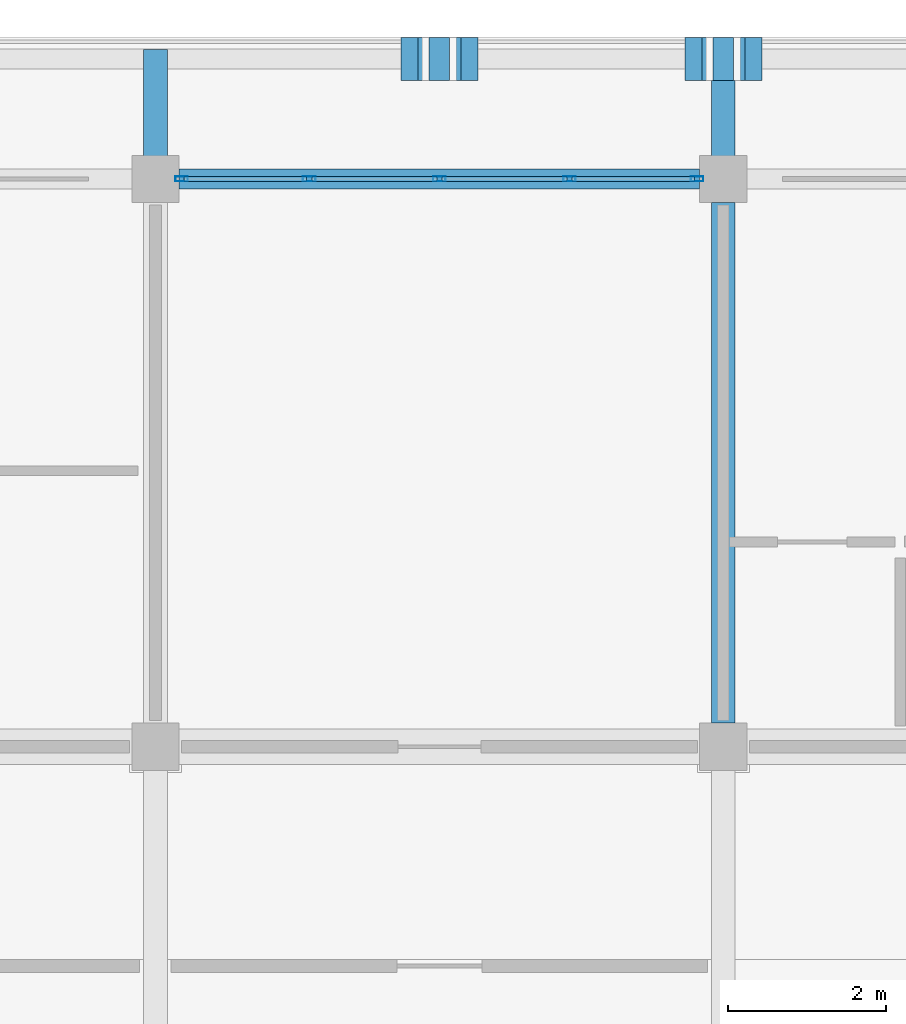
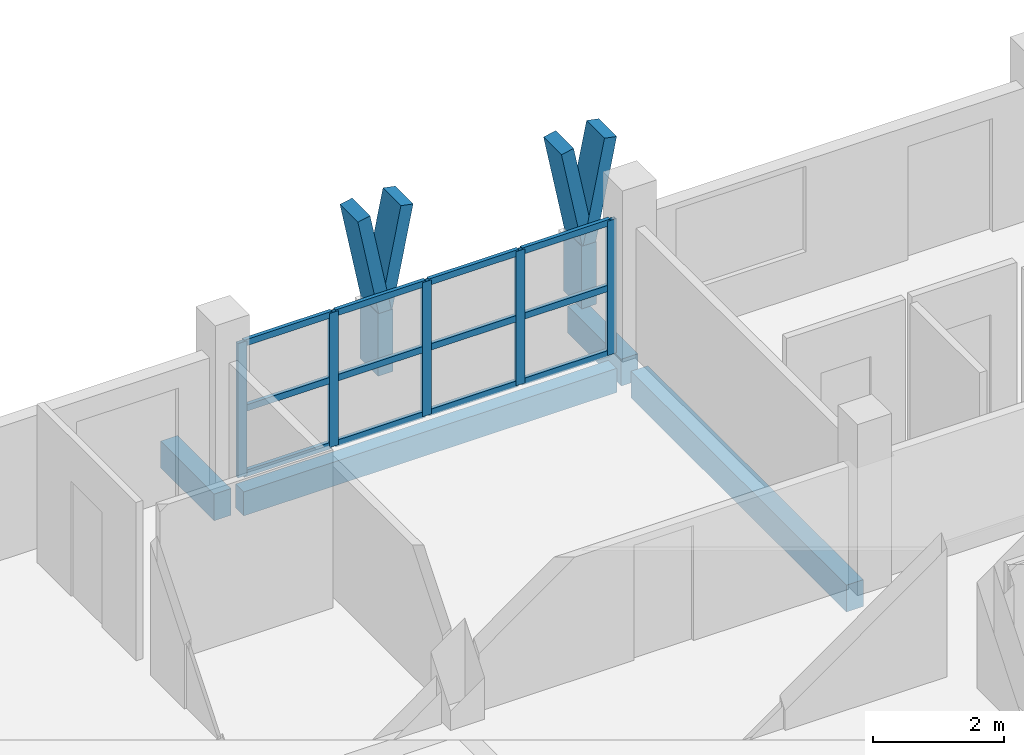
# One storey, part 7 of 56: 23 members, 4 beams, 1 element without a shape of its own.
"""IFC4 building model written with IfcOpenShell, lengths in metres."""

from ifc_helpers import new_model, si_unit, direction, frame, origin, origin_2d, place, context, subcontext, project, spatial, rectangle, hollow_rectangle, extrude, material, material_profile, profile_set, type_object, element, aggregate, save


model = new_model("IFC4")

# Units and contexts
model_context = context("Model", 3, precision=1e-05, world=origin(), true_north=direction((0.0, 1.0)))
body_context = subcontext(model_context, "Body", "Model", "MODEL_VIEW")
ifc_project = project(units=[si_unit("LENGTHUNIT", "METRE"), si_unit("AREAUNIT", "SQUARE_METRE"), si_unit("VOLUMEUNIT", "CUBIC_METRE"), si_unit("PLANEANGLEUNIT", "RADIAN"), si_unit("MASSUNIT", "GRAM", prefix="KILO")], contexts=[model_context])

# Site, building, storey
site_placement = place(None, origin())
site = spatial("IfcSite", under=ifc_project, at=site_placement, CompositionType="ELEMENT")
building_placement = place(site_placement, origin())
building = spatial("IfcBuilding", under=site, at=building_placement, Name="Suanplinth Sawtooth Commons", CompositionType="ELEMENT")
storey_placement = place(building_placement, frame((0.0, 0.0, 34.800048828125)))
storey = spatial("IfcBuildingStorey", under=building, at=storey_placement, Name="L10", CompositionType="ELEMENT", Elevation=34.800048828125)

# Beams
ifc_material_1 = material(Name="Precast concrete C40/50", Category="concrete")
ifc_material_profile_1 = material_profile(ifc_material_1, rectangle(XDim=0.300048828125, YDim=0.5, at=origin_2d()), Name="PC-BM 300x500")
ifc_profile_set_1 = profile_set([ifc_material_profile_1], Name="Precast concrete C40/50")
beam_type_1 = type_object("IfcBeamType", Name="B-07", PredefinedType="BEAM", material=ifc_profile_set_1)
beam_1_placement = place(storey_placement, frame((43.199951171875, 115.5, -0.469970703125), z_axis=(0.0, 1.0, 0.0), x_axis=(-1.0, 0.0, 0.0)))
element("IfcBeam", 1, at=beam_1_placement, inside=storey, type_object=beam_type_1, Name="BMY-L10-A-6-16", PredefinedType="BEAM", context=body_context, shape_type="SweptSolid", body=[
    extrude(rectangle(XDim=0.300048828125, YDim=0.5, at=origin_2d()), origin(), (0.0, 0.0, 1.0), 6.60009765625),
])
for number, where, z_axis, x_axis, name in (
    (2, (36.0, 122.39990234375, -0.429931640625), (0.0, 1.0, 0.0), (-1.0, 0.0, 0.0), "Balcony Outrigger L10-A-N-5"),
    (3, (43.199951171875, 122.39990234375, -0.429931640625), (0.0, 1.0, 0.0), (-1.0, 0.0, 0.0), "Balcony Outrigger L10-A-N-6"),
):
    element("IfcBeam", number, at=place(storey_placement, frame(where, z_axis=z_axis, x_axis=x_axis)), inside=storey, type_object=beam_type_1, Name=name, PredefinedType="BEAM", context=body_context, shape_type="SweptSolid", body=[
        extrude(rectangle(XDim=0.300048828125, YDim=0.5, at=origin_2d()), origin(), (0.0, 0.0, 1.0), 1.64013671875),
    ])
ifc_material_profile_2 = material_profile(ifc_material_1, rectangle(XDim=0.25, YDim=0.449951171875, at=origin_2d()), Name="PC-SP 250x450")
ifc_profile_set_2 = profile_set([ifc_material_profile_2], Name="Precast concrete C40/50")
beam_type_2 = type_object("IfcBeamType", Name="B-09", PredefinedType="SPANDREL", material=ifc_profile_set_2)
beam_2_placement = place(storey_placement, frame((36.300048828125, 122.39990234375, -0.445068359375), z_axis=(1.0, 0.0, 0.0), x_axis=(0.0, 1.0, 0.0)))
element("IfcBeam", 4, at=beam_2_placement, inside=storey, type_object=beam_type_2, Name="BMX-L10-A-5-17", PredefinedType="SPANDREL", context=body_context, shape_type="SweptSolid", body=[
    extrude(rectangle(XDim=0.25, YDim=0.449951171875, at=origin_2d()), origin(), (0.0, 0.0, 1.0), 6.599853515625),
])

# Members
ifc_material_2 = material(Name="Pigmented precast concrete C40/50", Category="concrete")
ifc_material_profile_3 = material_profile(ifc_material_2, rectangle(XDim=0.260009765625, YDim=0.550048828125, at=origin_2d()), Name="PC-FIN 260x550")
ifc_profile_set_3 = profile_set([ifc_material_profile_3], Name="Pigmented precast concrete C40/50")
member_type_1 = type_object("IfcMemberType", Name="M-09", PredefinedType="USERDEFINED", material=ifc_profile_set_3)
for number, where, z_axis, x_axis, name in (
    (5, (39.60009765625, 123.919921875, 0.0), (0.0, 0.0, 1.0), (1.0, 0.0, 0.0), "Y-Blade Stem L10-A-N-01"),
    (6, (43.199951171875, 123.919921875, 0.0), (0.0, 0.0, 1.0), (1.0, 0.0, 0.0), "Y-Blade Stem L10-A-N-02"),
):
    element("IfcMember", number, at=place(storey_placement, frame(where, z_axis=z_axis, x_axis=x_axis)), inside=storey, type_object=member_type_1, Name=name, ObjectType="SHADING FIN", PredefinedType="USERDEFINED", context=body_context, shape_type="SweptSolid", body=[
        extrude(rectangle(XDim=0.260009765625, YDim=0.550048828125, at=origin_2d()), origin(), (0.0, 0.0, 1.0), 1.169921875),
    ])
ifc_material_profile_4 = material_profile(ifc_material_2, rectangle(XDim=0.219970703125, YDim=0.550048828125, at=origin_2d()), Name="PC-FIN 220x550")
ifc_profile_set_4 = profile_set([ifc_material_profile_4], Name="Pigmented precast concrete C40/50")
member_type_2 = type_object("IfcMemberType", Name="M-10", PredefinedType="USERDEFINED", material=ifc_profile_set_4)
member_1_placement = place(storey_placement, frame((39.60009765625, 123.919921875, 1.1298828125), z_axis=(-0.196406855569, 0.0, 0.980522486782), x_axis=(0.980522486782, 0.0, 0.196406855569)))
element("IfcMember", 7, at=member_1_placement, inside=storey, type_object=member_type_2, Name="Y-Blade Arm L L10-A-N-01", ObjectType="SHADING FIN", PredefinedType="USERDEFINED", context=body_context, shape_type="SweptSolid", body=[
    extrude(rectangle(XDim=0.219970703125, YDim=0.550048828125, at=origin_2d()), origin(), (0.0, 0.0, 1.0), 1.93798828125),
])
for number, where, z_axis, x_axis, name in (
    (8, (39.60009765625, 123.919921875, 1.1298828125), (0.196285728346, 0.0, 0.980546741796), (-0.980546741796, 0.0, 0.196285728346), "Y-Blade Arm R L10-A-N-01"),
    (9, (43.199951171875, 123.919921875, 1.1298828125), (-0.196285728346, 0.0, 0.980546741796), (0.980546741796, 0.0, 0.196285728346), "Y-Blade Arm L L10-A-N-02"),
):
    element("IfcMember", number, at=place(storey_placement, frame(where, z_axis=z_axis, x_axis=x_axis)), inside=storey, type_object=member_type_2, Name=name, ObjectType="SHADING FIN", PredefinedType="USERDEFINED", context=body_context, shape_type="SweptSolid", body=[
        extrude(rectangle(XDim=0.219970703125, YDim=0.550048828125, at=origin_2d()), origin(), (0.0, 0.0, 1.0), 1.937744140625),
    ])
member_2_placement = place(storey_placement, frame((43.199951171875, 123.919921875, 1.1298828125), z_axis=(0.196406855569, 0.0, 0.980522486782), x_axis=(-0.980522486782, 0.0, 0.196406855569)))
element("IfcMember", 10, at=member_2_placement, inside=storey, type_object=member_type_2, Name="Y-Blade Arm R L10-A-N-02", ObjectType="SHADING FIN", PredefinedType="USERDEFINED", context=body_context, shape_type="SweptSolid", body=[
    extrude(rectangle(XDim=0.219970703125, YDim=0.550048828125, at=origin_2d()), origin(), (0.0, 0.0, 1.0), 1.93798828125),
])

# Curtain wall, members
ifc_material_3 = material(Name="Anodized aluminium and low-E glazing", Category="aluminium")
curtain_wall_type = type_object("IfcCurtainWallType", Name="CW-06", PredefinedType="USERDEFINED", material=ifc_material_3)
curtain_wall_placement = place(storey_placement, origin())
curtain_wall = element("IfcCurtainWall", 11, at=curtain_wall_placement, inside=storey, type_object=curtain_wall_type, Name="Curtain Wall CW-L10-A-LOUNGE-2", ObjectType="CURTAIN WALL", PredefinedType="USERDEFINED")
ifc_material_4 = material(Name="Anodized aluminium 6063-T6", Category="aluminium")
ifc_material_profile_5 = material_profile(ifc_material_4, hollow_rectangle(XDim=0.06494140625, YDim=0.159912109375, WallThickness=0.00390625, at=origin_2d()), Name="ALU-MUL 65x160")
ifc_profile_set_5 = profile_set([ifc_material_profile_5], Name="Anodized aluminium 6063-T6")
member_type_3 = type_object("IfcMemberType", Name="M-13", PredefinedType="MULLION", material=ifc_profile_set_5)
member_3_placement = place(storey_placement, frame((36.33251953125, 122.39990234375, 0.0), z_axis=(0.0, 0.0, 1.0), x_axis=(0.0, 1.0, 0.0)))
member_3 = element("IfcMember", 12, at=member_3_placement, type_object=member_type_3, Name="CW-06 mullion 1", PredefinedType="MULLION", context=body_context, shape_type="SweptSolid", body=[
    extrude(hollow_rectangle(XDim=0.06494140625, YDim=0.159912109375, WallThickness=0.00390625, at=origin_2d()), origin(), (0.0, 0.0, 1.0), 2.510009765625),
])
member_4_placement = place(storey_placement, frame((37.949951171875, 122.39990234375, 0.0), z_axis=(0.0, 0.0, 1.0), x_axis=(0.0, 1.0, 0.0)))
member_4 = element("IfcMember", 13, at=member_4_placement, type_object=member_type_3, Name="CW-06 mullion 2", PredefinedType="MULLION", context=body_context, shape_type="SweptSolid", body=[
    extrude(hollow_rectangle(XDim=0.06494140625, YDim=0.159912109375, WallThickness=0.00390625, at=origin_2d()), origin(), (0.0, 0.0, 1.0), 2.510009765625),
])
member_5_placement = place(storey_placement, frame((39.60009765625, 122.39990234375, 0.0), z_axis=(0.0, 0.0, 1.0), x_axis=(0.0, 1.0, 0.0)))
member_5 = element("IfcMember", 14, at=member_5_placement, type_object=member_type_3, Name="CW-06 mullion 3", PredefinedType="MULLION", context=body_context, shape_type="SweptSolid", body=[
    extrude(hollow_rectangle(XDim=0.06494140625, YDim=0.159912109375, WallThickness=0.00390625, at=origin_2d()), origin(), (0.0, 0.0, 1.0), 2.510009765625),
])
member_6_placement = place(storey_placement, frame((41.25, 122.39990234375, 0.0), z_axis=(0.0, 0.0, 1.0), x_axis=(0.0, 1.0, 0.0)))
member_6 = element("IfcMember", 15, at=member_6_placement, type_object=member_type_3, Name="CW-06 mullion 4", PredefinedType="MULLION", context=body_context, shape_type="SweptSolid", body=[
    extrude(hollow_rectangle(XDim=0.06494140625, YDim=0.159912109375, WallThickness=0.00390625, at=origin_2d()), origin(), (0.0, 0.0, 1.0), 2.510009765625),
])
member_7_placement = place(storey_placement, frame((42.867431640625, 122.39990234375, 0.0), z_axis=(0.0, 0.0, 1.0), x_axis=(0.0, 1.0, 0.0)))
member_7 = element("IfcMember", 16, at=member_7_placement, type_object=member_type_3, Name="CW-06 mullion 5", PredefinedType="MULLION", context=body_context, shape_type="SweptSolid", body=[
    extrude(hollow_rectangle(XDim=0.06494140625, YDim=0.159912109375, WallThickness=0.00390625, at=origin_2d()), origin(), (0.0, 0.0, 1.0), 2.510009765625),
])
ifc_material_profile_6 = material_profile(ifc_material_4, hollow_rectangle(XDim=0.06494140625, YDim=0.1201171875, WallThickness=0.00390625, at=origin_2d()), Name="ALU-TRN 65x120")
ifc_profile_set_6 = profile_set([ifc_material_profile_6], Name="Anodized aluminium 6063-T6")
member_type_4 = type_object("IfcMemberType", Name="M-15", PredefinedType="USERDEFINED", material=ifc_profile_set_6)
member_8_placement = place(storey_placement, frame((36.364990234375, 122.39990234375, 0.032470703125), z_axis=(1.0, 0.0, 0.0), x_axis=(0.0, 1.0, 0.0)))
member_8 = element("IfcMember", 17, at=member_8_placement, type_object=member_type_4, Name="CW-06 transom 1.1", ObjectType="TRANSOM", PredefinedType="USERDEFINED", context=body_context, shape_type="SweptSolid", body=[
    extrude(hollow_rectangle(XDim=0.06494140625, YDim=0.1201171875, WallThickness=0.00390625, at=origin_2d()), origin(), (0.0, 0.0, 1.0), 1.552490234375),
])
member_9_placement = place(storey_placement, frame((36.364990234375, 122.39990234375, 1.2548828125), z_axis=(1.0, 0.0, 0.0), x_axis=(0.0, 1.0, 0.0)))
member_9 = element("IfcMember", 18, at=member_9_placement, type_object=member_type_4, Name="CW-06 transom 1.2", ObjectType="TRANSOM", PredefinedType="USERDEFINED", context=body_context, shape_type="SweptSolid", body=[
    extrude(hollow_rectangle(XDim=0.06494140625, YDim=0.1201171875, WallThickness=0.00390625, at=origin_2d()), origin(), (0.0, 0.0, 1.0), 1.552490234375),
])
member_10_placement = place(storey_placement, frame((36.364990234375, 122.39990234375, 2.4775390625), z_axis=(1.0, 0.0, 0.0), x_axis=(0.0, 1.0, 0.0)))
member_10 = element("IfcMember", 19, at=member_10_placement, type_object=member_type_4, Name="CW-06 transom 1.3", ObjectType="TRANSOM", PredefinedType="USERDEFINED", context=body_context, shape_type="SweptSolid", body=[
    extrude(hollow_rectangle(XDim=0.06494140625, YDim=0.1201171875, WallThickness=0.00390625, at=origin_2d()), origin(), (0.0, 0.0, 1.0), 1.552490234375),
])
member_11_placement = place(storey_placement, frame((37.982421875, 122.39990234375, 0.032470703125), z_axis=(1.0, 0.0, 0.0), x_axis=(0.0, 1.0, 0.0)))
member_11 = element("IfcMember", 20, at=member_11_placement, type_object=member_type_4, Name="CW-06 transom 2.1", ObjectType="TRANSOM", PredefinedType="USERDEFINED", context=body_context, shape_type="SweptSolid", body=[
    extrude(hollow_rectangle(XDim=0.06494140625, YDim=0.1201171875, WallThickness=0.00390625, at=origin_2d()), origin(), (0.0, 0.0, 1.0), 1.5849609375),
])
member_12_placement = place(storey_placement, frame((37.982421875, 122.39990234375, 1.2548828125), z_axis=(1.0, 0.0, 0.0), x_axis=(0.0, 1.0, 0.0)))
member_12 = element("IfcMember", 21, at=member_12_placement, type_object=member_type_4, Name="CW-06 transom 2.2", ObjectType="TRANSOM", PredefinedType="USERDEFINED", context=body_context, shape_type="SweptSolid", body=[
    extrude(hollow_rectangle(XDim=0.06494140625, YDim=0.1201171875, WallThickness=0.00390625, at=origin_2d()), origin(), (0.0, 0.0, 1.0), 1.5849609375),
])
member_13_placement = place(storey_placement, frame((37.982421875, 122.39990234375, 2.4775390625), z_axis=(1.0, 0.0, 0.0), x_axis=(0.0, 1.0, 0.0)))
member_13 = element("IfcMember", 22, at=member_13_placement, type_object=member_type_4, Name="CW-06 transom 2.3", ObjectType="TRANSOM", PredefinedType="USERDEFINED", context=body_context, shape_type="SweptSolid", body=[
    extrude(hollow_rectangle(XDim=0.06494140625, YDim=0.1201171875, WallThickness=0.00390625, at=origin_2d()), origin(), (0.0, 0.0, 1.0), 1.5849609375),
])
member_14_placement = place(storey_placement, frame((39.632568359375, 122.39990234375, 0.032470703125), z_axis=(1.0, 0.0, 0.0), x_axis=(0.0, 1.0, 0.0)))
member_14 = element("IfcMember", 23, at=member_14_placement, type_object=member_type_4, Name="CW-06 transom 3.1", ObjectType="TRANSOM", PredefinedType="USERDEFINED", context=body_context, shape_type="SweptSolid", body=[
    extrude(hollow_rectangle(XDim=0.06494140625, YDim=0.1201171875, WallThickness=0.00390625, at=origin_2d()), origin(), (0.0, 0.0, 1.0), 1.5849609375),
])
member_15_placement = place(storey_placement, frame((39.632568359375, 122.39990234375, 1.2548828125), z_axis=(1.0, 0.0, 0.0), x_axis=(0.0, 1.0, 0.0)))
member_15 = element("IfcMember", 24, at=member_15_placement, type_object=member_type_4, Name="CW-06 transom 3.2", ObjectType="TRANSOM", PredefinedType="USERDEFINED", context=body_context, shape_type="SweptSolid", body=[
    extrude(hollow_rectangle(XDim=0.06494140625, YDim=0.1201171875, WallThickness=0.00390625, at=origin_2d()), origin(), (0.0, 0.0, 1.0), 1.5849609375),
])
member_16_placement = place(storey_placement, frame((39.632568359375, 122.39990234375, 2.4775390625), z_axis=(1.0, 0.0, 0.0), x_axis=(0.0, 1.0, 0.0)))
member_16 = element("IfcMember", 25, at=member_16_placement, type_object=member_type_4, Name="CW-06 transom 3.3", ObjectType="TRANSOM", PredefinedType="USERDEFINED", context=body_context, shape_type="SweptSolid", body=[
    extrude(hollow_rectangle(XDim=0.06494140625, YDim=0.1201171875, WallThickness=0.00390625, at=origin_2d()), origin(), (0.0, 0.0, 1.0), 1.5849609375),
])
member_17_placement = place(storey_placement, frame((41.282470703125, 122.39990234375, 0.032470703125), z_axis=(1.0, 0.0, 0.0), x_axis=(0.0, 1.0, 0.0)))
member_17 = element("IfcMember", 26, at=member_17_placement, type_object=member_type_4, Name="CW-06 transom 4.1", ObjectType="TRANSOM", PredefinedType="USERDEFINED", context=body_context, shape_type="SweptSolid", body=[
    extrude(hollow_rectangle(XDim=0.06494140625, YDim=0.1201171875, WallThickness=0.00390625, at=origin_2d()), origin(), (0.0, 0.0, 1.0), 1.552490234375),
])
member_18_placement = place(storey_placement, frame((41.282470703125, 122.39990234375, 1.2548828125), z_axis=(1.0, 0.0, 0.0), x_axis=(0.0, 1.0, 0.0)))
member_18 = element("IfcMember", 27, at=member_18_placement, type_object=member_type_4, Name="CW-06 transom 4.2", ObjectType="TRANSOM", PredefinedType="USERDEFINED", context=body_context, shape_type="SweptSolid", body=[
    extrude(hollow_rectangle(XDim=0.06494140625, YDim=0.1201171875, WallThickness=0.00390625, at=origin_2d()), origin(), (0.0, 0.0, 1.0), 1.552490234375),
])
member_19_placement = place(storey_placement, frame((41.282470703125, 122.39990234375, 2.4775390625), z_axis=(1.0, 0.0, 0.0), x_axis=(0.0, 1.0, 0.0)))
member_19 = element("IfcMember", 28, at=member_19_placement, type_object=member_type_4, Name="CW-06 transom 4.3", ObjectType="TRANSOM", PredefinedType="USERDEFINED", context=body_context, shape_type="SweptSolid", body=[
    extrude(hollow_rectangle(XDim=0.06494140625, YDim=0.1201171875, WallThickness=0.00390625, at=origin_2d()), origin(), (0.0, 0.0, 1.0), 1.552490234375),
])
aggregate(curtain_wall, [member_3, member_4, member_5, member_6, member_7, member_8, member_9, member_10, member_11, member_12, member_13, member_14, member_15, member_16, member_17, member_18, member_19])

save(model, "model.ifc")
